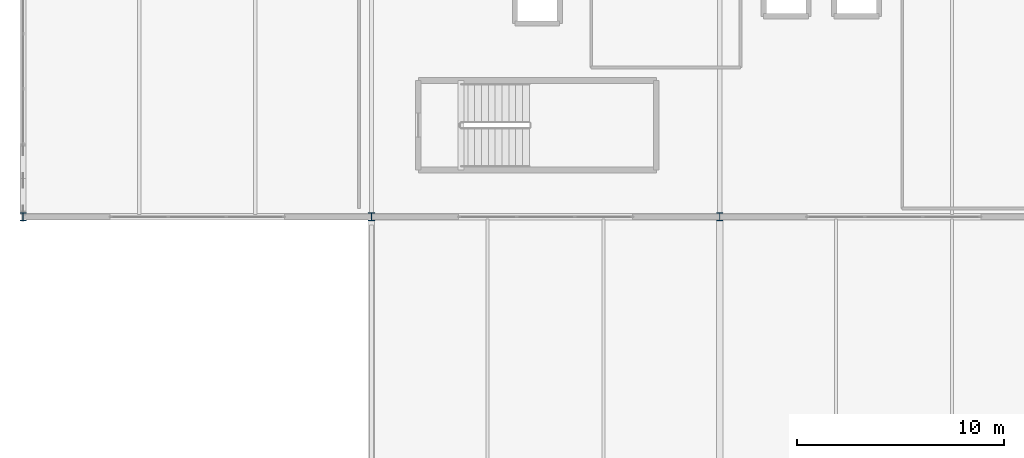
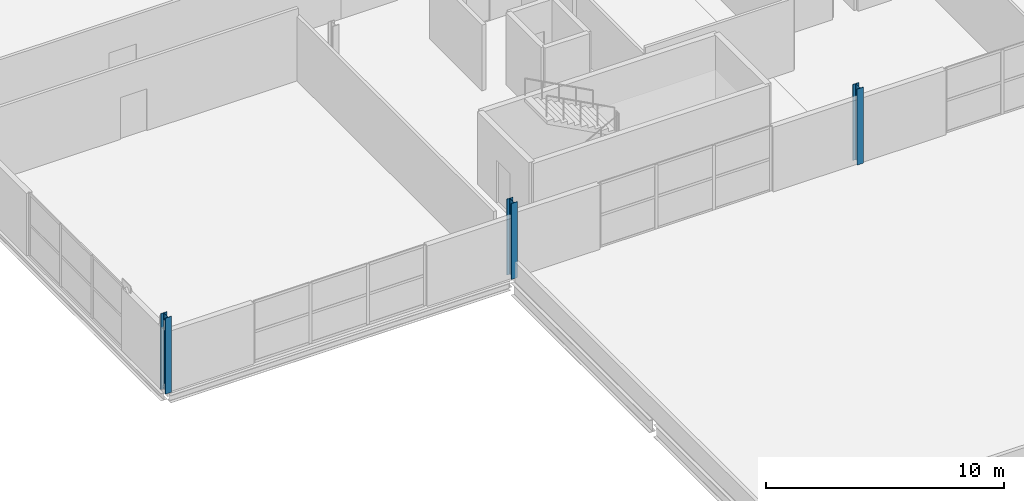
# One storey, part 1 of 36: 3 columns.
"""IFC4 building model written with IfcOpenShell, lengths in metres."""

from ifc_helpers import new_model, si_unit, direction, frame, origin, origin_2d, place, context, subcontext, project, spatial, i_section, extrude, material, material_profile, profile_set, type_object, element, save


model = new_model("IFC4")

# Units and contexts
model_context = context("Model", 3, precision=1e-05, world=origin(), true_north=direction((0.0, 1.0)))
body_context = subcontext(model_context, "Body", "Model", "MODEL_VIEW")
ifc_project = project(units=[si_unit("LENGTHUNIT", "METRE"), si_unit("AREAUNIT", "SQUARE_METRE"), si_unit("VOLUMEUNIT", "CUBIC_METRE"), si_unit("PLANEANGLEUNIT", "RADIAN"), si_unit("MASSUNIT", "GRAM", prefix="KILO")], contexts=[model_context])

# Site, building, storey
site_placement = place(None, origin())
site = spatial("IfcSite", under=ifc_project, at=site_placement, CompositionType="ELEMENT")
building_placement = place(site_placement, origin())
building = spatial("IfcBuilding", under=site, at=building_placement, Name="Kimbaza Rail Terminus", CompositionType="ELEMENT")
storey_placement = place(building_placement, frame((0.0, 0.0, 21.0)))
storey = spatial("IfcBuildingStorey", under=building, at=storey_placement, Name="L04", CompositionType="ELEMENT", Elevation=21.0)

# Columns
ifc_material = material(Name="Steel S355", Category="steel")
ifc_material_profile = material_profile(ifc_material, i_section(OverallWidth=0.300048828125, OverallDepth=0.39990234375, WebThickness=0.013427734375, FlangeThickness=0.02392578125, FilletRadius=0.027099609375, at=origin_2d()), Name="HEB 400")
ifc_profile_set = profile_set([ifc_material_profile], Name="Steel S355")
column_type = type_object("IfcColumnType", Name="STR-COL-HEB400", PredefinedType="COLUMN", material=ifc_profile_set)
for number, where, z_axis, x_axis, name in (
    (1, (55.199951171875, 103.0, 0.0), (0.0, 0.0, 1.0), (1.0, 0.0, 0.0), "Operations Column L04 (0,0)"),
    (2, (72.0, 103.0, 0.0), (0.0, 0.0, 1.0), (1.0, 0.0, 0.0), "Operations Column L04 (1,0)"),
    (3, (88.800048828125, 103.0, 0.0), (0.0, 0.0, 1.0), (1.0, 0.0, 0.0), "Operations Column L04 (2,0)"),
):
    element("IfcColumn", number, at=place(storey_placement, frame(where, z_axis=z_axis, x_axis=x_axis)), inside=storey, type_object=column_type, Name=name, PredefinedType="COLUMN", context=body_context, shape_type="SweptSolid", body=[
        extrude(i_section(OverallWidth=0.300048828125, OverallDepth=0.39990234375, WebThickness=0.013427734375, FlangeThickness=0.02392578125, FilletRadius=0.027099609375, at=origin_2d()), origin(), (0.0, 0.0, 1.0), 3.89990234375),
    ])

save(model, "model.ifc")
